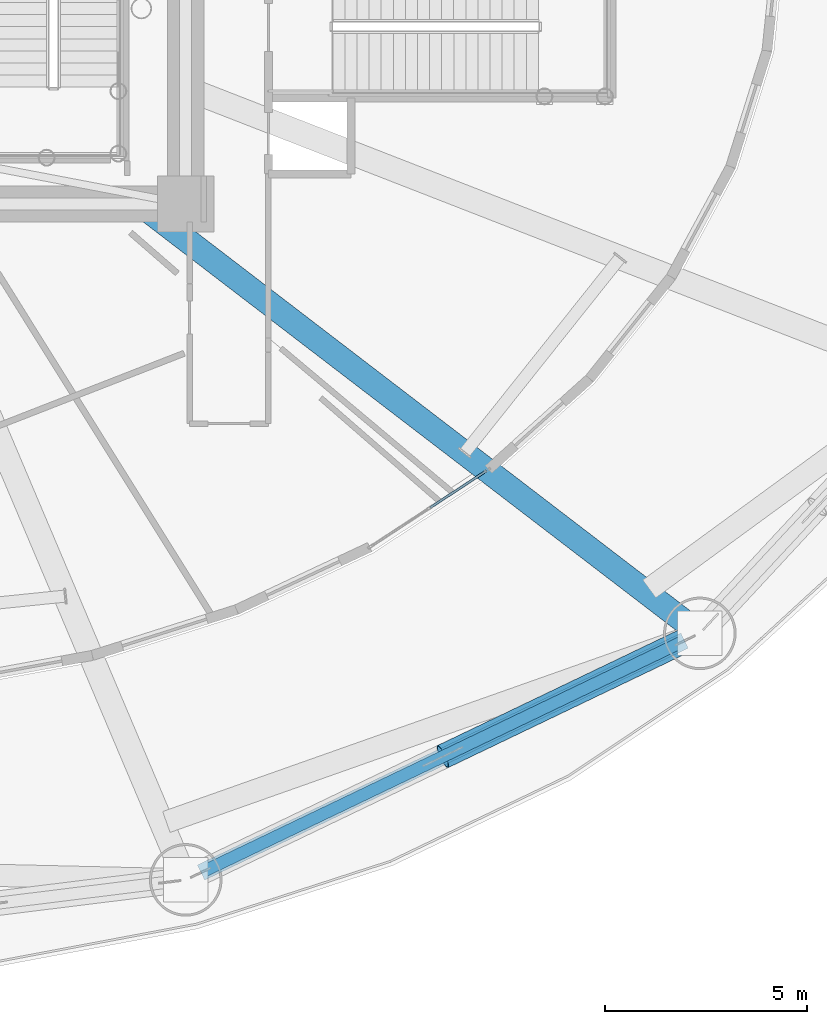
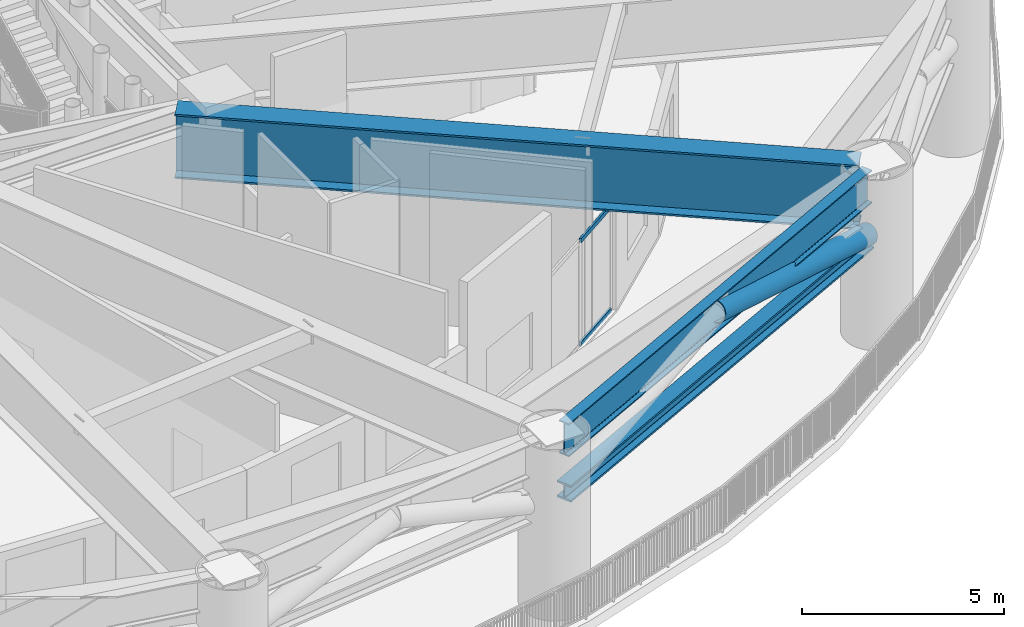
# One storey, part 7 of 39: 3 beams, 3 members, 1 element without a shape of its own.
"""IFC4 building model written with IfcOpenShell, lengths in metres."""

from ifc_helpers import new_model, si_unit, direction, frame, origin, origin_2d, place, context, subcontext, project, spatial, hollow_rectangle, hollow_circle, i_section, extrude, source, transform, mapped, material, layer, layer_set, material_profile, profile_set, type_object, element, aggregate, save


model = new_model("IFC4")

# Units and contexts
model_context = context("Model", 3, precision=1e-05, world=origin(), true_north=direction((0.0, 1.0)))
body_context = subcontext(model_context, "Body", "Model", "MODEL_VIEW")
ifc_project = project(units=[si_unit("LENGTHUNIT", "METRE"), si_unit("AREAUNIT", "SQUARE_METRE"), si_unit("VOLUMEUNIT", "CUBIC_METRE"), si_unit("PLANEANGLEUNIT", "RADIAN"), si_unit("MASSUNIT", "GRAM", prefix="KILO")], contexts=[model_context])

# Site, building, storey
site_placement = place(None, origin())
site = spatial("IfcSite", under=ifc_project, at=site_placement, CompositionType="ELEMENT")
building_placement = place(site_placement, origin())
building = spatial("IfcBuilding", under=site, at=building_placement, Name="Linh Dai School and Residence Tower", CompositionType="ELEMENT")
storey_placement = place(building_placement, frame((0.0, 0.0, 27.0)))
storey = spatial("IfcBuildingStorey", under=building, at=storey_placement, Name="L06", CompositionType="ELEMENT", Elevation=27.0)

# Beams
ifc_material_1 = material(Name="Structural Steel S355JR", Category="steel")
ifc_material_profile_1 = material_profile(ifc_material_1, i_section(OverallWidth=0.41796875, OverallDepth=0.506103515625, WebThickness=0.038818359375, FlangeThickness=0.05810546875, FilletRadius=0.014892578125, at=origin_2d()), Name="HD 400x551")
ifc_profile_set_1 = profile_set([ifc_material_profile_1], Name="Structural Steel S355JR")
beam_type_1 = type_object("IfcBeamType", Name="BM-BC1", PredefinedType="BEAM", material=ifc_profile_set_1)
beam_1_placement = place(storey_placement, frame((46.329833984375, 3.66552734375, 3.050048828125), z_axis=(0.901703667424, 0.432354595388, 0.0), x_axis=(-0.432354595388, 0.901703667424, 0.0)))
element("IfcBeam", 1, at=beam_1_placement, inside=storey, type_object=beam_type_1, Name="L06 Ring Belt Truss BT1 Bottom Chord 14", PredefinedType="BEAM", context=body_context, shape_type="SweptSolid", body=[
    extrude(i_section(OverallWidth=0.41796875, OverallDepth=0.506103515625, WebThickness=0.038818359375, FlangeThickness=0.05810546875, FilletRadius=0.014892578125, at=origin_2d()), origin(), (0.0, 0.0, 1.0), 13.304443359375),
])
ifc_material_profile_2 = material_profile(ifc_material_1, i_section(OverallWidth=0.300048828125, OverallDepth=1.0, WebThickness=0.01904296875, FlangeThickness=0.035888671875, FilletRadius=0.030029296875, at=origin_2d()), Name="HEB 1000")
ifc_profile_set_2 = profile_set([ifc_material_profile_2], Name="Structural Steel S355JR")
beam_type_2 = type_object("IfcBeamType", Name="BM-RG10", PredefinedType="BEAM", material=ifc_profile_set_2)
beam_2_placement = place(storey_placement, frame((46.329833984375, 3.66552734375, 4.64990234375), z_axis=(0.901703667424, 0.432354595388, 0.0), x_axis=(-0.432354595388, 0.901703667424, 0.0)))
element("IfcBeam", 2, at=beam_2_placement, inside=storey, type_object=beam_type_2, Name="L06 Perimeter Elliptical Ring Beam 14", PredefinedType="BEAM", context=body_context, shape_type="SweptSolid", body=[
    extrude(i_section(OverallWidth=0.300048828125, OverallDepth=1.0, WebThickness=0.01904296875, FlangeThickness=0.035888671875, FilletRadius=0.030029296875, at=origin_2d()), origin(), (0.0, 0.0, 1.0), 13.304443359375),
])
ifc_material_profile_3 = material_profile(ifc_material_1, i_section(OverallWidth=0.60009765625, OverallDepth=1.949951171875, WebThickness=0.031982421875, FlangeThickness=0.054931640625, at=origin_2d()), Name="PG 1950x600x32x55")
ifc_profile_set_3 = profile_set([ifc_material_profile_3], Name="Structural Steel S355JR")
beam_type_3 = type_object("IfcBeamType", Name="BM-TG19", PredefinedType="BEAM", material=ifc_profile_set_3)
beam_3_placement = place(storey_placement, frame((44.807861328125, 20.25, 4.175048828125), z_axis=(0.793713040757, -0.608292371259, 0.0), x_axis=(0.608292371259, 0.793713040757, 0.0)))
element("IfcBeam", 3, at=beam_3_placement, inside=storey, type_object=beam_type_3, Name="L06 Radial Setback Transfer Girder 15", PredefinedType="BEAM", context=body_context, shape_type="SweptSolid", body=[
    extrude(i_section(OverallWidth=0.60009765625, OverallDepth=1.949951171875, WebThickness=0.031982421875, FlangeThickness=0.054931640625, at=origin_2d()), origin(), (0.0, 0.0, 1.0), 17.08935546875),
])

# Member
ifc_material_profile_4 = material_profile(ifc_material_1, hollow_circle(Radius=0.304931640625, WallThickness=0.02490234375, at=origin_2d()), Name="CHS 610x25")
ifc_profile_set_4 = profile_set([ifc_material_profile_4], Name="Structural Steel S355JR")
member_type_1 = type_object("IfcMemberType", Name="MBR-BT1", PredefinedType="BRACE", material=ifc_profile_set_4)
member_1_placement = place(storey_placement, frame((58.3359375, 9.42236328125, 3.142578125), z_axis=(-0.879480886263, -0.42169192852, 0.220656493489), x_axis=(0.432348637717, -0.901706524022, 0.0)))
element("IfcMember", 4, at=member_1_placement, inside=storey, type_object=member_type_1, Name="L06 Ring Belt Truss BT1 Diagonal 14B", PredefinedType="BRACE", context=body_context, shape_type="SweptSolid", body=[
    extrude(hollow_circle(Radius=0.304931640625, WallThickness=0.02490234375, at=origin_2d()), origin(), (0.0, 0.0, 1.0), 6.8310546875),
])

# Curtain wall, members
ifc_material_2 = material(Name="Aluminium Anodised Curtain Wall", Category="aluminium")
ifc_layer = layer(ifc_material_2, 0.169921875)
ifc_layer_set = layer_set([ifc_layer], Name="Aluminium Anodised Curtain Wall")
curtain_wall_type = type_object("IfcCurtainWallType", Name="CW-SYS-2", PredefinedType="USERDEFINED", material=ifc_layer_set)
curtain_wall_placement = place(storey_placement, origin())
curtain_wall = element("IfcCurtainWall", 5, at=curtain_wall_placement, inside=storey, type_object=curtain_wall_type, Name="L06 CW2 Curtain Wall 35", ObjectType="UNITISED CURTAIN WALL", PredefinedType="USERDEFINED")
ifc_material_3 = material(Name="Aluminium Alloy 6063-T6", Category="aluminium")
ifc_material_profile_5 = material_profile(ifc_material_3, hollow_rectangle(XDim=0.06005859375, YDim=0.1298828125, WallThickness=0.00390625, at=origin_2d()), Name="RHS 130x60x4")
ifc_profile_set_5 = profile_set([ifc_material_profile_5], Name="Aluminium Alloy 6063-T6")
member_type_2 = type_object("IfcMemberType", Name="CW-SYS-2-TRN", PredefinedType="USERDEFINED", material=ifc_profile_set_5)
shared_shape = source(origin(), body_context, "Body", "SweptSolid", [
    extrude(hollow_rectangle(XDim=0.06005859375, YDim=0.1298828125, WallThickness=0.00390625, at=origin_2d()), origin(), (0.0, 0.0, 1.0), 1.6689453125),
])
member_2_placement = place(storey_placement, frame((53.409912109375, 13.63134765625, 0.030029296875), z_axis=(-0.836768543871, -0.547556758691, 0.0), x_axis=(0.547556758691, -0.836768543871, 0.0)))
member_2 = element("IfcMember", 6, at=member_2_placement, type_object=member_type_2, Name="CW2 transom 1.1", ObjectType="TRANSOM", PredefinedType="USERDEFINED", context=body_context, shape_type="MappedRepresentation", body=[
    mapped(shared_shape, transform((0.0, 0.0, 0.0), x_axis=(1.0, 0.0, 0.0), y_axis=(0.0, 1.0, 0.0), z_axis=(0.0, 0.0, 1.0), scale=1.0)),
])
member_3_placement = place(storey_placement, frame((53.409912109375, 13.63134765625, 3.155029296875), z_axis=(-0.836768543871, -0.547556758691, 0.0), x_axis=(0.547556758691, -0.836768543871, 0.0)))
member_3 = element("IfcMember", 7, at=member_3_placement, type_object=member_type_2, Name="CW2 transom 1.2", ObjectType="TRANSOM", PredefinedType="USERDEFINED", context=body_context, shape_type="MappedRepresentation", body=[
    mapped(shared_shape, transform((0.0, 0.0, 0.0), x_axis=(1.0, 0.0, 0.0), y_axis=(0.0, 1.0, 0.0), z_axis=(0.0, 0.0, 1.0), scale=1.0)),
])
aggregate(curtain_wall, [member_2, member_3])

save(model, "model.ifc")
